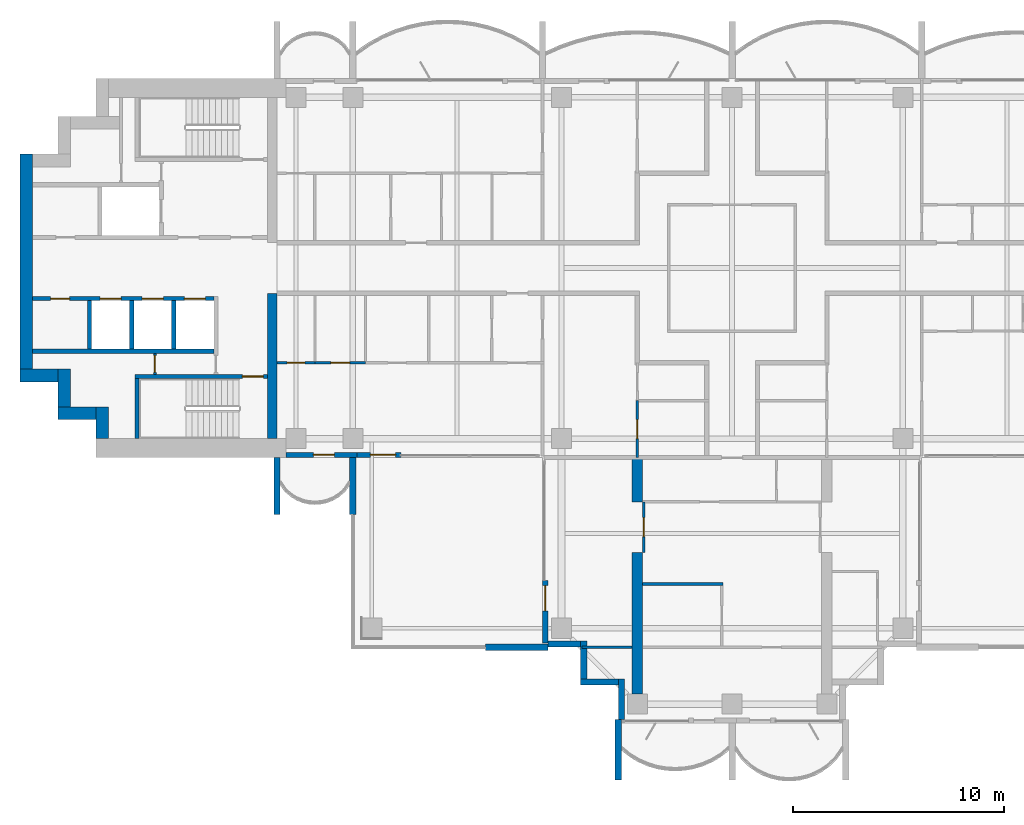
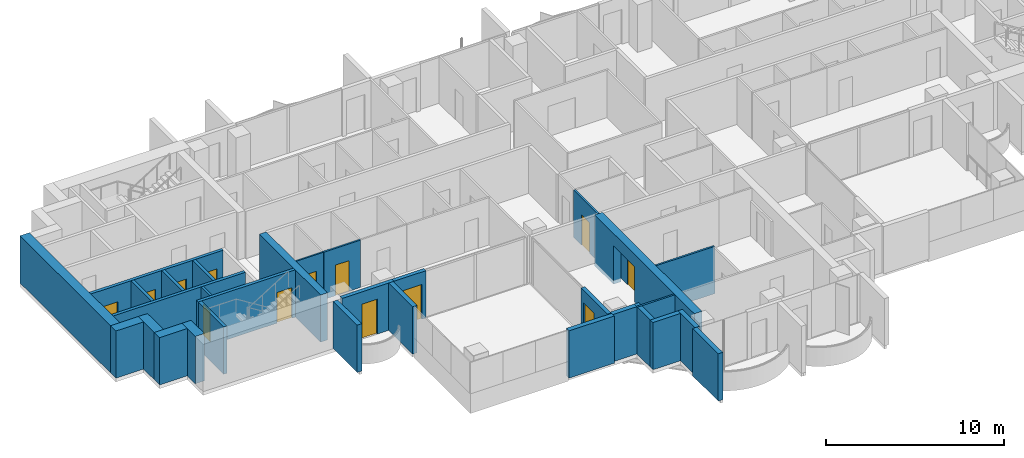
# One storey, part 8 of 17: 32 walls, 13 doors, 13 openings.
"""IFC4 building model written with IfcOpenShell, lengths in metres."""

from ifc_helpers import new_model, si_unit, direction, frame, frame_2d, origin, place, context, subcontext, project, spatial, polyline, rectangle, outline, extrude, material, layer, layer_set, material_profile, profile_set, type_object, element, fill, save


model = new_model("IFC4")

# Units and contexts
model_context = context("Model", 3, precision=1e-05, world=origin(), true_north=direction((0.0, 1.0)))
body_context = subcontext(model_context, "Body", "Model", "MODEL_VIEW")
ifc_project = project(units=[si_unit("LENGTHUNIT", "METRE"), si_unit("AREAUNIT", "SQUARE_METRE"), si_unit("VOLUMEUNIT", "CUBIC_METRE"), si_unit("PLANEANGLEUNIT", "RADIAN"), si_unit("MASSUNIT", "GRAM", prefix="KILO")], contexts=[model_context])

# Site, building, storey
site_placement = place(None, origin())
site = spatial("IfcSite", under=ifc_project, at=site_placement, CompositionType="ELEMENT")
building_placement = place(site_placement, origin())
building = spatial("IfcBuilding", under=site, at=building_placement, Name="Perihelion Cross Residences", CompositionType="ELEMENT")
storey_placement = place(building_placement, frame((0.0, 0.0, 194.60009765625)))
storey = spatial("IfcBuildingStorey", under=building, at=storey_placement, Name="L48", CompositionType="ELEMENT", Elevation=194.60009765625)

# Wall, opening, door
ifc_material_1 = material(Name="Concrete C30/37, bronze-clad", Category="concrete")
ifc_layer_1 = layer(ifc_material_1, 0.25)
ifc_layer_set_1 = layer_set([ifc_layer_1], Name="Bronze-clad pier wall 250")
wall_type_1 = type_object("IfcWallType", Name="Bronze-clad pier wall 250", PredefinedType="SOLIDWALL", material=ifc_layer_set_1)
wall_1_placement = place(storey_placement, frame((-21.175048828125, -8.875, 0.0), z_axis=(0.0, 0.0, 1.0), x_axis=(1.0, 0.0, 0.0)))
wall_1 = element("IfcWall", 1, at=wall_1_placement, inside=storey, type_object=wall_type_1, Name="Wall FW1 L48 west side south bay 1 pier", PredefinedType="SOLIDWALL", context=body_context, shape_type="SweptSolid", body=[
    extrude(rectangle(XDim=3.375, YDim=0.25, at=frame_2d((1.6875, 0.0))), origin(), (0.0, 0.0, 1.0), 3.25),
])
opening_1_placement = place(wall_1_placement, frame((1.300048828125, 0.0, 0.0)))
opening_1 = element("IfcOpeningElement", 2, at=opening_1_placement, cuts=wall_1, Name="Opening L48.E07", PredefinedType="OPENING", context=body_context, shape_type="SweptSolid", body=[
    extrude(rectangle(XDim=1.0, YDim=2.39990234375, at=frame_2d((0.5, 1.199951171875))), frame((0.0, 0.135009765625, 0.0), z_axis=(0.0, -1.0, 0.0), x_axis=(1.0, 0.0, 0.0)), (0.0, 0.0, 1.0), 0.27001953125),
])
ifc_material_2 = material(Name="Bronze anodised aluminium, glazed", Category="aluminium")
door_type_1 = type_object("IfcDoorType", Name="Balcony door 1000 x 2400", OperationType="NOTDEFINED", PredefinedType="DOOR", material=ifc_material_2)
door_1_placement = place(opening_1_placement, origin())
door_1 = element("IfcDoor", 3, at=door_1_placement, inside=storey, type_object=door_type_1, Name="Door L48.E07 west side south bay 1", OperationType="SINGLE_SWING_LEFT", OverallHeight=2.39990234375, OverallWidth=1.0, PredefinedType="DOOR", context=body_context, shape_type="SweptSolid", body=[
    extrude(rectangle(XDim=1.0, YDim=2.39990234375, at=frame_2d((0.5, 1.199951171875))), frame((0.0, 0.02490234375, 0.0), z_axis=(0.0, -1.0, 0.0), x_axis=(1.0, 0.0, 0.0)), (0.0, 0.0, 1.0), 0.050048828125),
])
fill(opening_1, door_1)

wall_2_placement = place(storey_placement, frame((-17.800048828125, -8.875, 0.0), z_axis=(0.0, 0.0, 1.0), x_axis=(1.0, 0.0, 0.0)))
wall_2 = element("IfcWall", 4, at=wall_2_placement, inside=storey, type_object=wall_type_1, Name="Wall FW1 L48 west side south bay 2 pier", PredefinedType="SOLIDWALL", context=body_context, shape_type="SweptSolid", body=[
    extrude(rectangle(XDim=2.074951171875, YDim=0.25, at=frame_2d((1.03759765625, 0.0))), origin(), (0.0, 0.0, 1.0), 3.25),
])
opening_2_placement = place(wall_2_placement, frame((0.625, 0.0, 0.0)))
opening_2 = element("IfcOpeningElement", 5, at=opening_2_placement, cuts=wall_2, Name="Opening L48.E08", PredefinedType="OPENING", context=body_context, shape_type="SweptSolid", body=[
    extrude(rectangle(XDim=1.199951171875, YDim=2.39990234375, at=frame_2d((0.60009765625, 1.199951171875))), frame((0.0, 0.135009765625, 0.0), z_axis=(0.0, -1.0, 0.0), x_axis=(1.0, 0.0, 0.0)), (0.0, 0.0, 1.0), 0.27001953125),
])
ifc_material_3 = material(Name="Bronze anodised aluminium, glazed", Category="aluminium")
door_type_2 = type_object("IfcDoorType", Name="Balcony door 1200 x 2400", OperationType="NOTDEFINED", PredefinedType="DOOR", material=ifc_material_3)
door_2_placement = place(opening_2_placement, origin())
door_2 = element("IfcDoor", 6, at=door_2_placement, inside=storey, type_object=door_type_2, Name="Door L48.E08 west side south bay 2", OperationType="SINGLE_SWING_RIGHT", OverallHeight=2.39990234375, OverallWidth=1.199951171875, PredefinedType="DOOR", context=body_context, shape_type="SweptSolid", body=[
    extrude(rectangle(XDim=1.199951171875, YDim=2.39990234375, at=frame_2d((0.60009765625, 1.199951171875))), frame((0.0, 0.02490234375, 0.0), z_axis=(0.0, -1.0, 0.0), x_axis=(1.0, 0.0, 0.0)), (0.0, 0.0, 1.0), 0.050048828125),
])
fill(opening_2, door_2)

wall_3_placement = place(storey_placement, frame((-8.875, -14.824951171875, 0.0), z_axis=(0.0, 0.0, 1.0), x_axis=(0.0, -1.0, 0.0)))
wall_3 = element("IfcWall", 7, at=wall_3_placement, inside=storey, type_object=wall_type_1, Name="Wall FW1 L48 south side west bay 1 pier", PredefinedType="SOLIDWALL", context=body_context, shape_type="SweptSolid", body=[
    extrude(rectangle(XDim=2.97509765625, YDim=0.25, at=frame_2d((1.487548828125, 0.0))), origin(), (0.0, 0.0, 1.0), 3.25),
])
opening_3_placement = place(wall_3_placement, frame((0.25, 0.0, 0.0)))
opening_3 = element("IfcOpeningElement", 8, at=opening_3_placement, cuts=wall_3, Name="Opening L48.E09", PredefinedType="OPENING", context=body_context, shape_type="SweptSolid", body=[
    extrude(rectangle(XDim=1.199951171875, YDim=2.39990234375, at=frame_2d((0.60009765625, 1.199951171875))), frame((0.0, 0.135009765625, 0.0), z_axis=(0.0, -1.0, 0.0), x_axis=(1.0, 0.0, 0.0)), (0.0, 0.0, 1.0), 0.27001953125),
])
door_3_placement = place(opening_3_placement, origin())
door_3 = element("IfcDoor", 9, at=door_3_placement, inside=storey, type_object=door_type_2, Name="Door L48.E09 south side west bay 1", OperationType="SINGLE_SWING_LEFT", OverallHeight=2.39990234375, OverallWidth=1.199951171875, PredefinedType="DOOR", context=body_context, shape_type="SweptSolid", body=[
    extrude(rectangle(XDim=1.199951171875, YDim=2.39990234375, at=frame_2d((0.60009765625, 1.199951171875))), frame((0.0, 0.02490234375, 0.0), z_axis=(0.0, -1.0, 0.0), x_axis=(1.0, 0.0, 0.0)), (0.0, 0.0, 1.0), 0.050048828125),
])
fill(opening_3, door_3)

# Walls
ifc_material_4 = material(Name="Concrete C30/37, bronze-clad", Category="concrete")
ifc_layer_2 = layer(ifc_material_4, 0.300048828125)
ifc_layer_set_2 = layer_set([ifc_layer_2], Name="Bronze-clad serration wall 300")
wall_type_2 = type_object("IfcWallType", Name="Bronze-clad serration wall 300", PredefinedType="SOLIDWALL", material=ifc_layer_set_2)
wall_4_placement = place(storey_placement, frame((-8.75, -17.85009765625, 0.0), z_axis=(0.0, 0.0, 1.0), x_axis=(1.0, 0.0, 0.0)))
element("IfcWall", 10, at=wall_4_placement, inside=storey, type_object=wall_type_2, Name="Wall SR1 L48 south corner south-west 1", PredefinedType="SOLIDWALL", context=body_context, shape_type="SweptSolid", body=[
    extrude(rectangle(XDim=1.550048828125, YDim=0.300048828125, at=frame_2d((0.77490234375, 0.0))), origin(), (0.0, 0.0, 1.0), 3.25),
])
for number, where, z_axis, x_axis, name in (
    (11, (-7.050048828125, -17.699951171875, 0.0), (0.0, 0.0, 1.0), (0.0, -1.0, 0.0), "Wall SR1 L48 south corner south-west 2"),
    (12, (-7.199951171875, -19.64990234375, 0.0), (0.0, 0.0, 1.0), (1.0, 0.0, 0.0), "Wall SR1 L48 south corner south-west 3"),
):
    element("IfcWall", number, at=place(storey_placement, frame(where, z_axis=z_axis, x_axis=x_axis)), inside=storey, type_object=wall_type_2, Name=name, PredefinedType="SOLIDWALL", context=body_context, shape_type="SweptSolid", body=[
        extrude(rectangle(XDim=1.800048828125, YDim=0.300048828125, at=frame_2d((0.89990234375, 0.0))), origin(), (0.0, 0.0, 1.0), 3.25),
    ])
wall_5_placement = place(storey_placement, frame((-5.25, -19.5, 0.0), z_axis=(0.0, 0.0, 1.0), x_axis=(0.0, -1.0, 0.0)))
element("IfcWall", 13, at=wall_5_placement, inside=storey, type_object=wall_type_2, Name="Wall SR1 L48 south corner south-west 4", PredefinedType="SOLIDWALL", context=body_context, shape_type="SweptSolid", body=[
    extrude(rectangle(XDim=1.919921875, YDim=0.300048828125, at=frame_2d((0.9599609375, 0.0))), origin(), (0.0, 0.0, 1.0), 3.25),
])
ifc_material_5 = material(Name="Concrete C60/75", Category="concrete")
ifc_layer_3 = layer(ifc_material_5, 0.449951171875)
ifc_layer_set_3 = layer_set([ifc_layer_3], Name="Core wall, inner 450")
wall_type_3 = type_object("IfcWallType", Name="Core wall, inner 450", PredefinedType="SHEAR", material=ifc_layer_set_3)
wall_6_placement = place(storey_placement, frame((-21.824951171875, -8.10009765625, 0.0), z_axis=(0.0, 0.0, 1.0), x_axis=(0.0, 1.0, 0.0)))
element("IfcWall", 14, at=wall_6_placement, inside=storey, type_object=wall_type_3, Name="West core core wall, inner", PredefinedType="SHEAR", context=body_context, shape_type="SweptSolid", body=[
    extrude(rectangle(XDim=6.900146484375, YDim=0.449951171875, at=frame_2d((3.4501953125, 0.0))), origin(), (0.0, 0.0, 1.0), 3.25),
])
ifc_material_6 = material(Name="Concrete C60/75", Category="concrete")
ifc_layer_4 = layer(ifc_material_6, 0.60009765625)
ifc_layer_set_4 = layer_set([ifc_layer_4], Name="Core wall, outer 600")
wall_type_4 = type_object("IfcWallType", Name="Core wall, outer 600", PredefinedType="SHEAR", material=ifc_layer_set_4)
wall_7_placement = place(storey_placement, frame((-29.89990234375, -8.10009765625, 0.0), z_axis=(0.0, 0.0, 1.0), x_axis=(0.0, 1.0, 0.0)))
element("IfcWall", 15, at=wall_7_placement, inside=storey, type_object=wall_type_4, Name="West core core wall, outer", PredefinedType="SHEAR", context=body_context, shape_type="SweptSolid", body=[
    extrude(rectangle(XDim=1.5, YDim=0.60009765625, at=frame_2d((0.75, 0.0))), origin(), (0.0, 0.0, 1.0), 3.25),
])
for number, where, z_axis, x_axis, name in (
    (16, (-32.0, -6.89990234375, 0.0), (0.0, 0.0, 1.0), (1.0, 0.0, 0.0), "West core core wall, outer"),
    (17, (-31.699951171875, -6.60009765625, 0.0), (0.0, 0.0, 1.0), (0.0, 1.0, 0.0), "West core core wall, outer"),
    (18, (-33.800048828125, -5.10009765625, 0.0), (0.0, 0.0, 1.0), (1.0, 0.0, 0.0), "West core core wall, outer"),
):
    element("IfcWall", number, at=place(storey_placement, frame(where, z_axis=z_axis, x_axis=x_axis)), inside=storey, type_object=wall_type_4, Name=name, PredefinedType="SHEAR", context=body_context, shape_type="SweptSolid", body=[
        extrude(rectangle(XDim=1.800048828125, YDim=0.60009765625, at=frame_2d((0.89990234375, 0.0))), origin(), (0.0, 0.0, 1.0), 3.25),
    ])
wall_8_placement = place(storey_placement, frame((-33.5, -4.800048828125, 0.0), z_axis=(0.0, 0.0, 1.0), x_axis=(0.0, 1.0, 0.0)))
element("IfcWall", 19, at=wall_8_placement, inside=storey, type_object=wall_type_4, Name="West core core wall, outer", PredefinedType="SHEAR", context=body_context, shape_type="SweptSolid", body=[
    extrude(rectangle(XDim=10.199951171875, YDim=0.60009765625, at=frame_2d((5.10009765625, 0.0))), origin(), (0.0, 0.0, 1.0), 3.25),
])

# Wall, opening, door
ifc_material_7 = material(Name="Plasterboard partition")
ifc_layer_5 = layer(ifc_material_7, 0.1201171875)
ifc_layer_set_5 = layer_set([ifc_layer_5], Name="Infill panel 120")
wall_type_5 = type_object("IfcWallType", Name="Infill panel 120", PredefinedType="PARTITIONING", material=ifc_layer_set_5)
wall_9_placement = place(storey_placement, frame((-4.18994140625, -11.10009765625, 0.0), z_axis=(0.0, 0.0, 1.0), x_axis=(0.0, -1.0, 0.0)))
wall_9 = element("IfcWall", 20, at=wall_9_placement, inside=storey, type_object=wall_type_5, Name="Partition L48 WI02", PredefinedType="PARTITIONING", context=body_context, shape_type="SweptSolid", body=[
    extrude(rectangle(XDim=2.39990234375, YDim=0.1201171875, at=frame_2d((1.199951171875, 0.0))), origin(), (0.0, 0.0, 1.0), 2.39990234375),
])
opening_4_placement = place(wall_9_placement, frame((0.75, 0.0, 0.0)))
opening_4 = element("IfcOpeningElement", 21, at=opening_4_placement, cuts=wall_9, Name="Opening L48.A43", PredefinedType="OPENING", context=body_context, shape_type="SweptSolid", body=[
    extrude(rectangle(XDim=0.89990234375, YDim=2.10009765625, at=frame_2d((0.449951171875, 1.050048828125))), frame((0.0, 0.070068359375, 0.0), z_axis=(0.0, -1.0, 0.0), x_axis=(1.0, 0.0, 0.0)), (0.0, 0.0, 1.0), 0.14013671875),
])
ifc_material_8 = material(Name="Timber door leaf", Category="wood")
door_type_3 = type_object("IfcDoorType", Name="Interior room door 900 x 2100", OperationType="SINGLE_SWING_LEFT", PredefinedType="DOOR", material=ifc_material_8)
door_4_placement = place(opening_4_placement, origin())
door_4 = element("IfcDoor", 22, at=door_4_placement, inside=storey, type_object=door_type_3, Name="Door L48.A43", OperationType="SINGLE_SWING_LEFT", OverallHeight=2.10009765625, OverallWidth=0.89990234375, PredefinedType="DOOR", context=body_context, shape_type="SweptSolid", body=[
    extrude(rectangle(XDim=0.89990234375, YDim=2.10009765625, at=frame_2d((0.449951171875, 1.050048828125))), frame((0.0, 0.02490234375, 0.0), z_axis=(0.0, -1.0, 0.0), x_axis=(1.0, 0.0, 0.0)), (0.0, 0.0, 1.0), 0.050048828125),
])
fill(opening_4, door_4)

ifc_material_9 = material(Name="Plasterboard partition")
ifc_layer_6 = layer(ifc_material_9, 0.1201171875)
ifc_layer_set_6 = layer_set([ifc_layer_6], Name="Partition wall 120")
wall_type_6 = type_object("IfcWallType", Name="Partition wall 120", PredefinedType="PARTITIONING", material=ifc_layer_set_6)
wall_10_placement = place(storey_placement, frame((-17.39990234375, -4.5, 0.0), z_axis=(0.0, 0.0, 1.0), x_axis=(-1.0, 0.0, 0.0)))
wall_10 = element("IfcWall", 23, at=wall_10_placement, inside=storey, type_object=wall_type_6, Name="Partition L48 W059", PredefinedType="PARTITIONING", context=body_context, shape_type="SweptSolid", body=[
    extrude(rectangle(XDim=2.400146484375, YDim=0.1201171875, at=frame_2d((1.2001953125, 0.0))), origin(), (0.0, 0.0, 1.0), 3.25),
])
opening_5_placement = place(wall_10_placement, frame((0.75, 0.0, 0.0)))
opening_5 = element("IfcOpeningElement", 24, at=opening_5_placement, cuts=wall_10, Name="Opening L48.A31", PredefinedType="OPENING", context=body_context, shape_type="SweptSolid", body=[
    extrude(rectangle(XDim=0.89990234375, YDim=2.10009765625, at=frame_2d((0.449951171875, 1.050048828125))), frame((0.0, 0.070068359375, 0.0), z_axis=(0.0, -1.0, 0.0), x_axis=(1.0, 0.0, 0.0)), (0.0, 0.0, 1.0), 0.14013671875),
])
door_5_placement = place(opening_5_placement, origin())
door_5 = element("IfcDoor", 25, at=door_5_placement, inside=storey, type_object=door_type_3, Name="Door L48.A31", OperationType="SINGLE_SWING_RIGHT", OverallHeight=2.10009765625, OverallWidth=0.89990234375, PredefinedType="DOOR", context=body_context, shape_type="SweptSolid", body=[
    extrude(rectangle(XDim=0.89990234375, YDim=2.10009765625, at=frame_2d((0.449951171875, 1.050048828125))), frame((0.0, 0.02490234375, 0.0), z_axis=(0.0, -1.0, 0.0), x_axis=(1.0, 0.0, 0.0)), (0.0, 0.0, 1.0), 0.050048828125),
])
fill(opening_5, door_5)

wall_11_placement = place(storey_placement, frame((-4.5, -6.300048828125, 0.0), z_axis=(0.0, 0.0, 1.0), x_axis=(0.0, -1.0, 0.0)))
wall_11 = element("IfcWall", 26, at=wall_11_placement, inside=storey, type_object=wall_type_6, Name="Partition L48 W062", PredefinedType="PARTITIONING", context=body_context, shape_type="SweptSolid", body=[
    extrude(rectangle(XDim=2.699951171875, YDim=0.1201171875, at=frame_2d((1.35009765625, 0.0))), origin(), (0.0, 0.0, 1.0), 3.25),
])
opening_6_placement = place(wall_11_placement, frame((0.89990234375, 0.0, 0.0)))
opening_6 = element("IfcOpeningElement", 27, at=opening_6_placement, cuts=wall_11, Name="Opening L48.A27", PredefinedType="OPENING", context=body_context, shape_type="SweptSolid", body=[
    extrude(rectangle(XDim=0.89990234375, YDim=2.10009765625, at=frame_2d((0.449951171875, 1.050048828125))), frame((0.0, 0.070068359375, 0.0), z_axis=(0.0, -1.0, 0.0), x_axis=(1.0, 0.0, 0.0)), (0.0, 0.0, 1.0), 0.14013671875),
])
door_6_placement = place(opening_6_placement, origin())
door_6 = element("IfcDoor", 28, at=door_6_placement, inside=storey, type_object=door_type_3, Name="Door L48.A27", OperationType="SINGLE_SWING_RIGHT", OverallHeight=2.10009765625, OverallWidth=0.89990234375, PredefinedType="DOOR", context=body_context, shape_type="SweptSolid", body=[
    extrude(rectangle(XDim=0.89990234375, YDim=2.10009765625, at=frame_2d((0.449951171875, 1.050048828125))), frame((0.0, 0.02490234375, 0.0), z_axis=(0.0, -1.0, 0.0), x_axis=(1.0, 0.0, 0.0)), (0.0, 0.0, 1.0), 0.050048828125),
])
fill(opening_6, door_6)

# Walls
wall_12_placement = place(storey_placement, frame((-0.43994140625, -15.0, 0.0), z_axis=(0.0, 0.0, 1.0), x_axis=(-1.0, 0.0, 0.0)))
element("IfcWall", 29, at=wall_12_placement, inside=storey, type_object=wall_type_6, Name="Partition L48 W068", PredefinedType="PARTITIONING", context=body_context, shape_type="SweptSolid", body=[
    extrude(rectangle(XDim=3.81005859375, YDim=0.1201171875, at=frame_2d((1.905029296875, 0.0))), origin(), (0.0, 0.0, 1.0), 3.25),
])
wall_13_placement = place(storey_placement, frame((-4.75, -18.0, 0.0), z_axis=(0.0, 0.0, 1.0), x_axis=(-1.0, 0.0, 0.0)))
element("IfcWall", 30, at=wall_13_placement, inside=storey, type_object=wall_type_6, Name="Partition L48 W073", PredefinedType="PARTITIONING", context=body_context, shape_type="SweptSolid", body=[
    extrude(rectangle(XDim=2.3701171875, YDim=0.1201171875, at=frame_2d((1.18505859375, 0.0))), origin(), (0.0, 0.0, 1.0), 3.25),
])
ifc_material_10 = material(Name="Precast concrete C50/60", Category="concrete")
ifc_layer_7 = layer(ifc_material_10, 0.300048828125)
ifc_layer_set_7 = layer_set([ifc_layer_7], Name="Precast concrete C50/60 blade wall 300")
wall_type_7 = type_object("IfcWallType", Name="Precast concrete C50/60 blade wall 300", PredefinedType="SOLIDWALL", material=ifc_layer_set_7)
for number, where, z_axis, x_axis, name in (
    (31, (-21.60009765625, -9.0, 0.0), (0.0, 0.0, 1.0), (0.0, -1.0, 0.0), "Wall BL1 L48 no. 3"),
    (32, (-18.0, -9.0, 0.0), (0.0, 0.0, 1.0), (0.0, -1.0, 0.0), "Wall BL1 L48 no. 1"),
):
    element("IfcWall", number, at=place(storey_placement, frame(where, z_axis=z_axis, x_axis=x_axis)), inside=storey, type_object=wall_type_7, Name=name, PredefinedType="SOLIDWALL", context=body_context, shape_type="SweptSolid", body=[
        extrude(rectangle(XDim=2.699951171875, YDim=0.300048828125, at=frame_2d((1.35009765625, 0.0))), origin(), (0.0, 0.0, 1.0), 3.25),
    ])
wall_14_placement = place(storey_placement, frame((-8.75, -18.0, 0.0), z_axis=(0.0, 0.0, 1.0), x_axis=(-1.0, 0.0, 0.0)))
element("IfcWall", 33, at=wall_14_placement, inside=storey, type_object=wall_type_7, Name="Wall BL1 L48 no. 6", PredefinedType="SOLIDWALL", context=body_context, shape_type="SweptSolid", body=[
    extrude(rectangle(XDim=2.949951171875, YDim=0.300048828125, at=frame_2d((1.47509765625, 0.0))), origin(), (0.0, 0.0, 1.0), 3.25),
])
wall_15_placement = place(storey_placement, frame((-5.39990234375, -21.419921875, 0.0), z_axis=(0.0, 0.0, 1.0), x_axis=(0.0, -1.0, 0.0)))
element("IfcWall", 34, at=wall_15_placement, inside=storey, type_object=wall_type_7, Name="Wall BL1 L48 no. 5", PredefinedType="SOLIDWALL", context=body_context, shape_type="SweptSolid", body=[
    extrude(rectangle(XDim=2.880126953125, YDim=0.300048828125, at=frame_2d((1.43994140625, 0.0))), origin(), (0.0, 0.0, 1.0), 3.25),
])

# Wall, opening, door
ifc_material_11 = material(Name="Fire-rated board on steel stud", Category="steel")
ifc_layer_8 = layer(ifc_material_11, 0.14990234375)
ifc_layer_set_8 = layer_set([ifc_layer_8], Name="Riser wall 150")
wall_type_8 = type_object("IfcWallType", Name="Riser wall 150", PredefinedType="PARTITIONING", material=ifc_layer_set_8)
wall_16_placement = place(storey_placement, frame((-27.39990234375, -5.050048828125, 0.0), z_axis=(0.0, 0.0, 1.0), x_axis=(0.0, 1.0, 0.0)))
wall_16 = element("IfcWall", 35, at=wall_16_placement, inside=storey, type_object=wall_type_8, Name="West core riser wall", PredefinedType="PARTITIONING", context=body_context, shape_type="SweptSolid", body=[
    extrude(rectangle(XDim=1.0, YDim=0.14990234375, at=frame_2d((0.5, 0.0))), origin(), (0.0, 0.0, 1.0), 3.25),
])
opening_7_placement = place(wall_16_placement, frame((0.10009765625, 0.0, 0.0)))
opening_7 = element("IfcOpeningElement", 36, at=opening_7_placement, cuts=wall_16, Name="Opening L48.C25", PredefinedType="OPENING", context=body_context, shape_type="SweptSolid", body=[
    extrude(rectangle(XDim=0.800048828125, YDim=2.10009765625, at=frame_2d((0.39990234375, 1.050048828125))), frame((0.0, 0.0849609375, 0.0), z_axis=(0.0, -1.0, 0.0), x_axis=(1.0, 0.0, 0.0)), (0.0, 0.0, 1.0), 0.169921875),
])
ifc_material_12 = material(Name="Steel, powder coated", Category="steel")
door_type_4 = type_object("IfcDoorType", Name="Riser door 800", OperationType="SINGLE_SWING_LEFT", PredefinedType="DOOR", material=ifc_material_12)
door_7_placement = place(opening_7_placement, origin())
door_7 = element("IfcDoor", 37, at=door_7_placement, inside=storey, type_object=door_type_4, Name="West core riser door", OperationType="SINGLE_SWING_LEFT", OverallHeight=2.10009765625, OverallWidth=0.800048828125, PredefinedType="DOOR", context=body_context, shape_type="SweptSolid", body=[
    extrude(rectangle(XDim=0.800048828125, YDim=2.10009765625, at=frame_2d((0.39990234375, 1.050048828125))), frame((0.0, 0.02490234375, 0.0), z_axis=(0.0, -1.0, 0.0), x_axis=(1.0, 0.0, 0.0)), (0.0, 0.0, 1.0), 0.050048828125),
])
fill(opening_7, door_7)

# Wall, openings, doors
ifc_material_13 = material(Name="Concrete C50/60", Category="concrete")
ifc_layer_9 = layer(ifc_material_13, 0.199951171875)
ifc_layer_set_9 = layer_set([ifc_layer_9], Name="Shaft wall 200")
wall_type_9 = type_object("IfcWallType", Name="Shaft wall 200", PredefinedType="SOLIDWALL", material=ifc_layer_set_9)
wall_17_placement = place(storey_placement, frame((-33.199951171875, -1.449951171875, 0.0), z_axis=(0.0, 0.0, 1.0), x_axis=(1.0, 0.0, 0.0)))
wall_17 = element("IfcWall", 38, at=wall_17_placement, inside=storey, type_object=wall_type_9, Name="West core shaft wall", PredefinedType="SOLIDWALL", context=body_context, shape_type="SweptSolid", body=[
    extrude(rectangle(XDim=8.599853515625, YDim=0.199951171875, at=frame_2d((4.2998046875, 0.0))), origin(), (0.0, 0.0, 1.0), 3.25),
])
opening_8_placement = place(wall_17_placement, frame((7.199951171875, 0.0, 0.0)))
opening_8 = element("IfcOpeningElement", 39, at=opening_8_placement, cuts=wall_17, Name="Opening L48.C15", PredefinedType="OPENING", context=body_context, shape_type="SweptSolid", body=[
    extrude(rectangle(XDim=1.0, YDim=2.10009765625, at=frame_2d((0.5, 1.050048828125))), frame((0.0, 0.10986328125, 0.0), z_axis=(0.0, -1.0, 0.0), x_axis=(1.0, 0.0, 0.0)), (0.0, 0.0, 1.0), 0.219970703125),
])
opening_9_placement = place(wall_17_placement, frame((5.199951171875, 0.0, 0.0)))
opening_9 = element("IfcOpeningElement", 40, at=opening_9_placement, cuts=wall_17, Name="Opening L48.C17", PredefinedType="OPENING", context=body_context, shape_type="SweptSolid", body=[
    extrude(rectangle(XDim=1.0, YDim=2.10009765625, at=frame_2d((0.5, 1.050048828125))), frame((0.0, 0.10986328125, 0.0), z_axis=(0.0, -1.0, 0.0), x_axis=(1.0, 0.0, 0.0)), (0.0, 0.0, 1.0), 0.219970703125),
])
opening_10_placement = place(wall_17_placement, frame((3.199951171875, 0.0, 0.0)))
opening_10 = element("IfcOpeningElement", 41, at=opening_10_placement, cuts=wall_17, Name="Opening L48.C18", PredefinedType="OPENING", context=body_context, shape_type="SweptSolid", body=[
    extrude(rectangle(XDim=1.0, YDim=2.10009765625, at=frame_2d((0.5, 1.050048828125))), frame((0.0, 0.10986328125, 0.0), z_axis=(0.0, -1.0, 0.0), x_axis=(1.0, 0.0, 0.0)), (0.0, 0.0, 1.0), 0.219970703125),
])
opening_11_placement = place(wall_17_placement, frame((0.85009765625, 0.0, 0.0)))
opening_11 = element("IfcOpeningElement", 42, at=opening_11_placement, cuts=wall_17, Name="Opening L48.C28", PredefinedType="OPENING", context=body_context, shape_type="SweptSolid", body=[
    extrude(rectangle(XDim=0.89990234375, YDim=2.10009765625, at=frame_2d((0.449951171875, 1.050048828125))), frame((0.0, 0.10986328125, 0.0), z_axis=(0.0, -1.0, 0.0), x_axis=(1.0, 0.0, 0.0)), (0.0, 0.0, 1.0), 0.219970703125),
])
ifc_material_14 = material(Name="Stainless steel", Category="steel")
door_type_5 = type_object("IfcDoorType", Name="Landing door 1000", OperationType="DOUBLE_DOOR_SLIDING", PredefinedType="DOOR", material=ifc_material_14)
door_8_placement = place(opening_8_placement, origin())
door_8 = element("IfcDoor", 43, at=door_8_placement, inside=storey, type_object=door_type_5, Name="Landing door, West core high-rise lift 1", OperationType="DOUBLE_DOOR_SLIDING", OverallHeight=2.10009765625, OverallWidth=1.0, PredefinedType="DOOR", context=body_context, shape_type="SweptSolid", body=[
    extrude(rectangle(XDim=1.0, YDim=2.10009765625, at=frame_2d((0.5, 1.050048828125))), frame((0.0, 0.02490234375, 0.0), z_axis=(0.0, -1.0, 0.0), x_axis=(1.0, 0.0, 0.0)), (0.0, 0.0, 1.0), 0.050048828125),
])
fill(opening_8, door_8)
door_9_placement = place(opening_9_placement, origin())
door_9 = element("IfcDoor", 44, at=door_9_placement, inside=storey, type_object=door_type_5, Name="Landing door, West core high-rise lift 2", OperationType="DOUBLE_DOOR_SLIDING", OverallHeight=2.10009765625, OverallWidth=1.0, PredefinedType="DOOR", context=body_context, shape_type="SweptSolid", body=[
    extrude(rectangle(XDim=1.0, YDim=2.10009765625, at=frame_2d((0.5, 1.050048828125))), frame((0.0, 0.02490234375, 0.0), z_axis=(0.0, -1.0, 0.0), x_axis=(1.0, 0.0, 0.0)), (0.0, 0.0, 1.0), 0.050048828125),
])
fill(opening_9, door_9)
door_10_placement = place(opening_10_placement, origin())
door_10 = element("IfcDoor", 45, at=door_10_placement, inside=storey, type_object=door_type_5, Name="Landing door, West core high-rise lift 3", OperationType="DOUBLE_DOOR_SLIDING", OverallHeight=2.10009765625, OverallWidth=1.0, PredefinedType="DOOR", context=body_context, shape_type="SweptSolid", body=[
    extrude(rectangle(XDim=1.0, YDim=2.10009765625, at=frame_2d((0.5, 1.050048828125))), frame((0.0, 0.02490234375, 0.0), z_axis=(0.0, -1.0, 0.0), x_axis=(1.0, 0.0, 0.0)), (0.0, 0.0, 1.0), 0.050048828125),
])
fill(opening_10, door_10)
ifc_material_15 = material(Name="Steel, powder coated", Category="steel")
door_type_6 = type_object("IfcDoorType", Name="Service room door 900", OperationType="SINGLE_SWING_LEFT", PredefinedType="DOOR", material=ifc_material_15)
door_11_placement = place(opening_11_placement, origin())
door_11 = element("IfcDoor", 46, at=door_11_placement, inside=storey, type_object=door_type_6, Name="West core service room door", OperationType="SINGLE_SWING_LEFT", OverallHeight=2.10009765625, OverallWidth=0.89990234375, PredefinedType="DOOR", context=body_context, shape_type="SweptSolid", body=[
    extrude(rectangle(XDim=0.89990234375, YDim=2.10009765625, at=frame_2d((0.449951171875, 1.050048828125))), frame((0.0, 0.02490234375, 0.0), z_axis=(0.0, -1.0, 0.0), x_axis=(1.0, 0.0, 0.0)), (0.0, 0.0, 1.0), 0.050048828125),
])
fill(opening_11, door_11)

# Walls
wall_18_placement = place(storey_placement, frame((-33.199951171875, -3.949951171875, 0.0), z_axis=(0.0, 0.0, 1.0), x_axis=(1.0, 0.0, 0.0)))
element("IfcWall", 47, at=wall_18_placement, inside=storey, type_object=wall_type_9, Name="West core shaft wall", PredefinedType="SOLIDWALL", context=body_context, shape_type="SweptSolid", body=[
    extrude(rectangle(XDim=8.599853515625, YDim=0.199951171875, at=frame_2d((4.2998046875, 0.0))), origin(), (0.0, 0.0, 1.0), 3.25),
])
for number, where, z_axis, x_axis, name in (
    (48, (-26.5, -3.85009765625, 0.0), (0.0, 0.0, 1.0), (0.0, 1.0, 0.0), "West core shaft wall"),
    (49, (-28.5, -3.85009765625, 0.0), (0.0, 0.0, 1.0), (0.0, 1.0, 0.0), "West core shaft wall"),
    (50, (-30.5, -3.85009765625, 0.0), (0.0, 0.0, 1.0), (0.0, 1.0, 0.0), "West core shaft wall"),
):
    element("IfcWall", number, at=place(storey_placement, frame(where, z_axis=z_axis, x_axis=x_axis)), inside=storey, type_object=wall_type_9, Name=name, PredefinedType="SOLIDWALL", context=body_context, shape_type="SweptSolid", body=[
        extrude(rectangle(XDim=2.300048828125, YDim=0.199951171875, at=frame_2d((1.14990234375, 0.0))), origin(), (0.0, 0.0, 1.0), 3.25),
    ])

# Wall, opening, door
ifc_material_16 = material(Name="Concrete C50/60", Category="concrete")
ifc_layer_10 = layer(ifc_material_16, 0.199951171875)
ifc_layer_set_10 = layer_set([ifc_layer_10], Name="Stair wall 200")
wall_type_10 = type_object("IfcWallType", Name="Stair wall 200", PredefinedType="SOLIDWALL", material=ifc_layer_set_10)
wall_19_placement = place(storey_placement, frame((-28.35009765625, -5.14990234375, 0.0), z_axis=(0.0, 0.0, 1.0), x_axis=(1.0, 0.0, 0.0)))
wall_19 = element("IfcWall", 51, at=wall_19_placement, inside=storey, type_object=wall_type_10, Name="West core stair wall", PredefinedType="SOLIDWALL", context=body_context, shape_type="SweptSolid", body=[
    extrude(rectangle(XDim=6.300048828125, YDim=0.199951171875, at=frame_2d((3.14990234375, 0.0))), origin(), (0.0, 0.0, 1.0), 3.25),
])
opening_12_placement = place(wall_19_placement, frame((5.10009765625, 0.0, 0.0)))
opening_12 = element("IfcOpeningElement", 52, at=opening_12_placement, cuts=wall_19, Name="Opening L48.C19", PredefinedType="OPENING", context=body_context, shape_type="SweptSolid", body=[
    extrude(rectangle(XDim=1.0, YDim=2.10009765625, at=frame_2d((0.5, 1.050048828125))), frame((0.0, 0.10986328125, 0.0), z_axis=(0.0, -1.0, 0.0), x_axis=(1.0, 0.0, 0.0)), (0.0, 0.0, 1.0), 0.219970703125),
])
ifc_material_17 = material(Name="Steel, powder coated", Category="steel")
door_type_7 = type_object("IfcDoorType", Name="Stair door 1000", OperationType="SINGLE_SWING_LEFT", PredefinedType="DOOR", material=ifc_material_17)
door_12_placement = place(opening_12_placement, origin())
door_12 = element("IfcDoor", 53, at=door_12_placement, inside=storey, type_object=door_type_7, Name="West core stair door", OperationType="SINGLE_SWING_LEFT", OverallHeight=2.10009765625, OverallWidth=1.0, PredefinedType="DOOR", context=body_context, shape_type="SweptSolid", body=[
    extrude(rectangle(XDim=1.0, YDim=2.10009765625, at=frame_2d((0.5, 1.050048828125))), frame((0.0, 0.02490234375, 0.0), z_axis=(0.0, -1.0, 0.0), x_axis=(1.0, 0.0, 0.0)), (0.0, 0.0, 1.0), 0.050048828125),
])
fill(opening_12, door_12)

# Walls
wall_20_placement = place(storey_placement, frame((-28.25, -8.10009765625, 0.0), z_axis=(0.0, 0.0, 1.0), x_axis=(0.0, 1.0, 0.0)))
element("IfcWall", 54, at=wall_20_placement, inside=storey, type_object=wall_type_10, Name="West core stair wall", PredefinedType="SOLIDWALL", context=body_context, shape_type="SweptSolid", body=[
    extrude(rectangle(XDim=2.85009765625, YDim=0.199951171875, at=frame_2d((1.425048828125, 0.0))), origin(), (0.0, 0.0, 1.0), 3.25),
])
ifc_material_18 = material(Name="Concrete C60/75", Category="concrete")
ifc_material_profile = material_profile(ifc_material_18, outline(polyline([(0.0, 0.0), (6.72509765625, 0.0), (6.72509765625, 2.64990234375), (9.125, 2.64990234375), (9.125, 0.0), (11.22509765625, 0.0), (11.22509765625, 3.5), (0.0, 3.5), (0.0, 0.0)])), Name="Tip spine wall")
ifc_profile_set = profile_set([ifc_material_profile], Name="Concrete C60/75")
wall_type_11 = type_object("IfcWallType", Name="Tip spine wall 500 with 1 door openings 11225 long 3500 high concrete C60/75", PredefinedType="SHEAR", material=ifc_profile_set)
wall_21_placement = place(storey_placement, frame((-4.75, -20.22509765625, -0.25), z_axis=(1.0, 0.0, 0.0), x_axis=(0.0, 1.0, 0.0)))
element("IfcWall", 55, at=wall_21_placement, inside=storey, type_object=wall_type_11, Name="Shear wall SW41 L48 south west", PredefinedType="SHEAR", context=body_context, shape_type="SweptSolid", body=[
    extrude(outline(polyline([(0.0, 0.0), (6.72509765625, 0.0), (6.72509765625, 2.64990234375), (9.125, 2.64990234375), (9.125, 0.0), (11.22509765625, 0.0), (11.22509765625, 3.5), (0.0, 3.5), (0.0, 0.0)])), origin(), (0.0, 0.0, 1.0), 0.5),
])

# Wall, opening, door
ifc_material_19 = material(Name="Plasterboard partition")
ifc_layer_11 = layer(ifc_material_19, 0.10009765625)
ifc_layer_set_11 = layer_set([ifc_layer_11], Name="Wet room wall 100")
wall_type_12 = type_object("IfcWallType", Name="Wet room wall 100", PredefinedType="PARTITIONING", material=ifc_layer_set_11)
wall_22_placement = place(storey_placement, frame((-19.800048828125, -4.5, 0.0), z_axis=(0.0, 0.0, 1.0), x_axis=(-1.0, 0.0, 0.0)))
wall_22 = element("IfcWall", 56, at=wall_22_placement, inside=storey, type_object=wall_type_12, Name="Partition L48 W060", PredefinedType="PARTITIONING", context=body_context, shape_type="SweptSolid", body=[
    extrude(rectangle(XDim=1.800048828125, YDim=0.10009765625, at=frame_2d((0.89990234375, 0.0))), origin(), (0.0, 0.0, 1.0), 3.25),
])
opening_13_placement = place(wall_22_placement, frame((0.47509765625, 0.0, 0.0)))
opening_13 = element("IfcOpeningElement", 57, at=opening_13_placement, cuts=wall_22, Name="Opening L48.A29", PredefinedType="OPENING", context=body_context, shape_type="SweptSolid", body=[
    extrude(rectangle(XDim=0.85009765625, YDim=2.10009765625, at=frame_2d((0.425048828125, 1.050048828125))), frame((0.0, 0.06005859375, 0.0), z_axis=(0.0, -1.0, 0.0), x_axis=(1.0, 0.0, 0.0)), (0.0, 0.0, 1.0), 0.1201171875),
])
ifc_material_20 = material(Name="Timber door leaf", Category="wood")
door_type_8 = type_object("IfcDoorType", Name="Interior bathroom door 850 x 2100", OperationType="SINGLE_SWING_LEFT", PredefinedType="DOOR", material=ifc_material_20)
door_13_placement = place(opening_13_placement, origin())
door_13 = element("IfcDoor", 58, at=door_13_placement, inside=storey, type_object=door_type_8, Name="Door L48.A29", OperationType="SINGLE_SWING_LEFT", OverallHeight=2.10009765625, OverallWidth=0.85009765625, PredefinedType="DOOR", context=body_context, shape_type="SweptSolid", body=[
    extrude(rectangle(XDim=0.85009765625, YDim=2.10009765625, at=frame_2d((0.425048828125, 1.050048828125))), frame((0.0, 0.02490234375, 0.0), z_axis=(0.0, -1.0, 0.0), x_axis=(1.0, 0.0, 0.0)), (0.0, 0.0, 1.0), 0.050048828125),
])
fill(opening_13, door_13)

save(model, "model.ifc")
